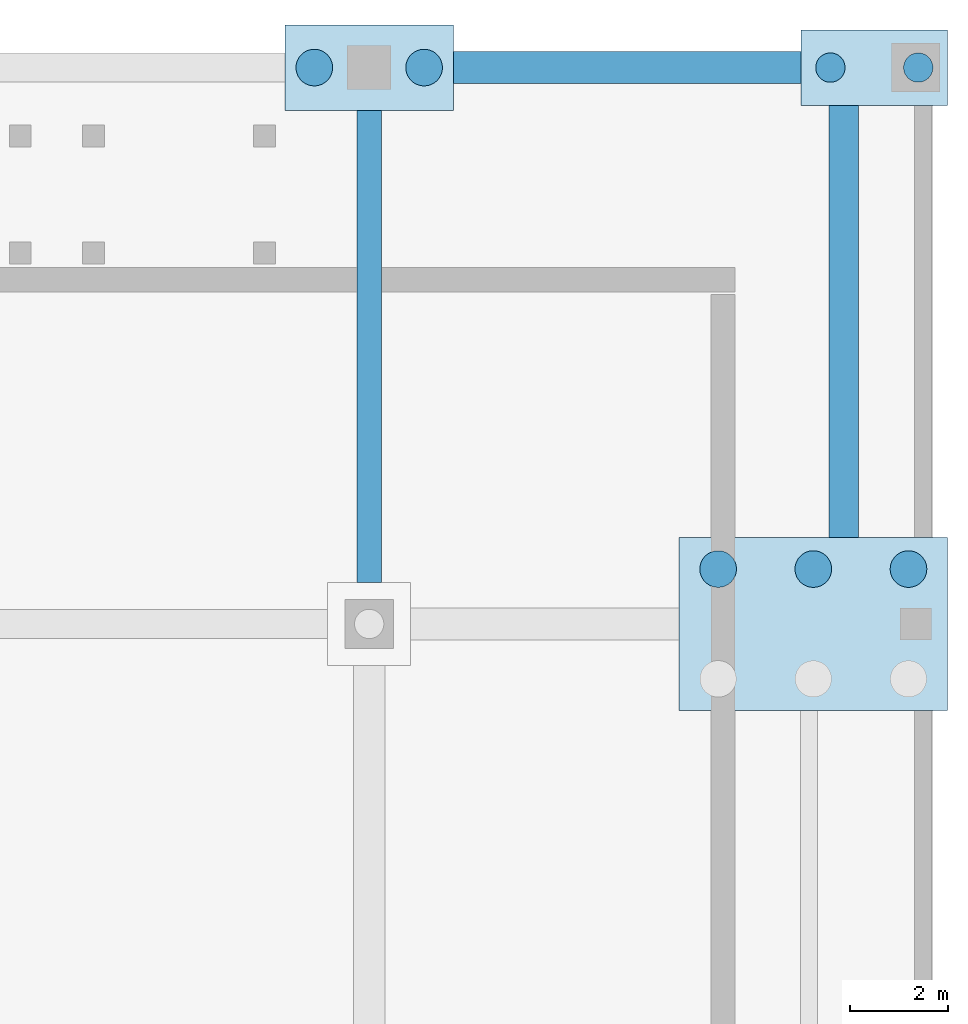
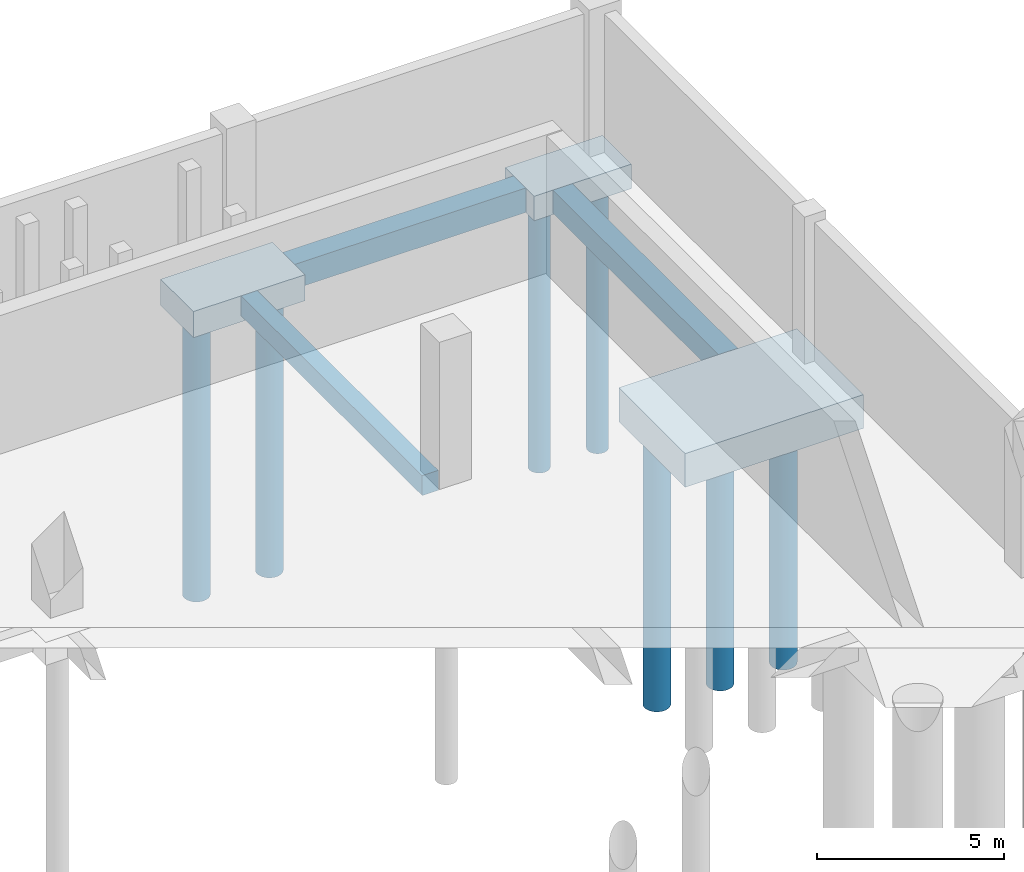
# One storey, part 10 of 34: 7 piles, 6 footings.
"""IFC4 building model written with IfcOpenShell, lengths in metres."""

import ifcopenshell
import ifcopenshell.guid

model = None  # the IFC model being written
_history = None  # IfcOwnerHistory: only IFC2X3 demands one
_inside = {}  # id of a spatial element -> (the spatial element, [elements in it])
_under = {}  # id of a project, library or spatial element -> (it, [spatial elements below it])
_declared = {}  # id of a project -> (the project, [libraries it declares])
_typed = {}  # id of a type object -> (the type object, [elements of that type])
_made_of = {}  # id of a material, layer set ... -> (it, [elements and type objects made of it])


def new_model(schema):
    """Start an empty IFC model of exactly this schema.

    Asked for "IFC4X3", IfcOpenShell would pick the latest addendum, in which some entities
    have other attributes; the version numbers below select the first issue.
    IFC2X3 requires an IfcOwnerHistory on every rooted entity: one is made here for all.
    """
    global model, _history
    if schema == "IFC4X3":
        model = ifcopenshell.file(schema_version=(4, 3, 0, 0))
    else:
        model = ifcopenshell.file(schema=schema)
    _inside.clear()
    _under.clear()
    _declared.clear()
    _typed.clear()
    _made_of.clear()
    _history = None
    if model.schema == "IFC2X3":
        org = make("IfcOrganization", Name="unknown")
        user = make(
            "IfcPersonAndOrganization",
            ThePerson=make("IfcPerson", FamilyName="unknown"),
            TheOrganization=org,
        )
        app = make(
            "IfcApplication",
            ApplicationDeveloper=org,
            Version="unknown",
            ApplicationFullName="unknown",
            ApplicationIdentifier="unknown",
        )
        _history = make(
            "IfcOwnerHistory",
            OwningUser=user,
            OwningApplication=app,
            ChangeAction="ADDED",
            CreationDate=0,
        )
    return model


def make(cls, **values):
    """One entity of the class cls with the attributes given. An attribute that is None is left unset."""
    return model.create_entity(
        cls, **{name: value for name, value in values.items() if value is not None}
    )


def rooted(cls, **values):
    """An entity with a GlobalId (a new one), such as an element, a storey or a relation."""
    return make(cls, GlobalId=ifcopenshell.guid.new(), OwnerHistory=_history, **values)


def si_unit(unit_type, name, prefix=None):
    """IfcSIUnit, for example si_unit("LENGTHUNIT", "METRE", prefix="MILLI")."""
    return make("IfcSIUnit", UnitType=unit_type, Prefix=prefix, Name=name)


def assignment(units):
    """IfcUnitAssignment: the units of a project."""
    return None if units is None else make("IfcUnitAssignment", Units=units)


def point(xyz):
    """IfcCartesianPoint."""
    return None if xyz is None else make("IfcCartesianPoint", Coordinates=xyz)


def direction(xyz):
    """IfcDirection."""
    return None if xyz is None else make("IfcDirection", DirectionRatios=xyz)


def frame(location, z_axis=None, x_axis=None):
    """IfcAxis2Placement3D, a coordinate frame: its origin and axes. An axis left out is left unset."""
    return make(
        "IfcAxis2Placement3D",
        Location=point(location),
        Axis=direction(z_axis),
        RefDirection=direction(x_axis),
    )


def frame_2d(location, x_axis=None):
    """IfcAxis2Placement2D, a coordinate frame in the plane: its origin and x axis."""
    return make(
        "IfcAxis2Placement2D", Location=point(location), RefDirection=direction(x_axis)
    )


def origin():
    """The frame at (0, 0, 0) with its axes left unset."""
    return frame((0.0, 0.0, 0.0))


def origin_2d():
    """The frame at (0, 0) in the plane with its x axis left unset."""
    return frame_2d((0.0, 0.0))


def place(relative_to, where):
    """IfcLocalPlacement: puts the frame where relative to a parent placement (None: the world)."""
    return make(
        "IfcLocalPlacement", PlacementRelTo=relative_to, RelativePlacement=where
    )


def context(
    kind, dimensions, precision=None, world=None, true_north=None, identifier=None
):
    """IfcGeometricRepresentationContext, for example the 3D "Model" context."""
    return make(
        "IfcGeometricRepresentationContext",
        ContextIdentifier=identifier,
        ContextType=kind,
        CoordinateSpaceDimension=dimensions,
        Precision=precision,
        WorldCoordinateSystem=world,
        TrueNorth=true_north,
    )


def subcontext(parent, identifier, kind, view, scale=None):
    """IfcGeometricRepresentationSubContext, for example "Body" below "Model"."""
    return make(
        "IfcGeometricRepresentationSubContext",
        ContextIdentifier=identifier,
        ContextType=kind,
        ParentContext=parent,
        TargetScale=scale,
        TargetView=view,
    )


def project(units=None, contexts=None):
    """IfcProject with its units and contexts."""
    return rooted(
        "IfcProject",
        Name="project",
        RepresentationContexts=contexts,
        UnitsInContext=assignment(units),
    )


def spatial(cls, under=None, at=None, **own):
    """A site, building, storey or space (cls), placed at a placement, below another one or the project."""
    s = rooted(cls, ObjectPlacement=at, **own)
    if under is not None:
        _under.setdefault(under.id(), (under, []))[1].append(s)
    return s


def profile(cls, at=None, kind="AREA", **sizes):
    """A parametric profile (cls). Its sizes go by their IFC names, for example OverallWidth=200.0."""
    return make(cls, ProfileType=kind, Position=at, **sizes)


def rectangle(**sizes):
    """IfcRectangleProfileDef."""
    return profile("IfcRectangleProfileDef", **sizes)


def circle(**sizes):
    """IfcCircleProfileDef."""
    return profile("IfcCircleProfileDef", **sizes)


def extrude(swept, where, along, depth):
    """IfcExtrudedAreaSolid: the profile swept, set in the frame where, extruded along a direction by depth."""
    return make(
        "IfcExtrudedAreaSolid",
        SweptArea=swept,
        Position=where,
        ExtrudedDirection=direction(along),
        Depth=depth,
    )


def shape(context_of_items, identifier, shape_type, items):
    """IfcShapeRepresentation: the items that make up one representation, for example the "Body"."""
    return make(
        "IfcShapeRepresentation",
        ContextOfItems=context_of_items,
        RepresentationIdentifier=identifier,
        RepresentationType=shape_type,
        Items=items,
    )


def material(Name=None, Category=None):
    """IfcMaterial."""
    return make("IfcMaterial", Name=Name, Category=Category)


def material_profile(
    of_material, cross_section, Name=None, Category=None, Priority=None
):
    """IfcMaterialProfile: a cross section and its material."""
    return make(
        "IfcMaterialProfile",
        Name=Name,
        Material=of_material,
        Profile=cross_section,
        Priority=Priority,
        Category=Category,
    )


def profile_set(profiles, Name=None, composite=None):
    """IfcMaterialProfileSet."""
    return make(
        "IfcMaterialProfileSet",
        Name=Name,
        MaterialProfiles=profiles,
        CompositeProfile=composite,
    )


def made_of(thing, what):
    """Note that an element or type object is made of a material, layer set ...; save() writes the relation."""
    if what is not None:
        _made_of.setdefault(what.id(), (what, []))[1].append(thing)
    return thing


def type_object(cls, material=None, **own):
    """A type object (cls), such as IfcWallType, which elements share."""
    return made_of(rooted(cls, **own), material)


def element(
    cls,
    number,
    at=None,
    inside=None,
    cuts=None,
    type_object=None,
    material=None,
    context=None,
    identifier="Body",
    shape_type=None,
    held_by="IfcProductDefinitionShape",
    body=None,
    shapes=None,
    **own,
):
    """One element of the class cls, such as IfcWall. Its Tag is "e" and its number.

    at: its placement. inside: the storey or other place that contains it. cuts: it is an
    opening in that element (IfcRelVoidsElement). A single representation is given by context,
    identifier, shape_type and body (its items); several are given by shapes. held_by: the class
    of the entity that holds the representations. save() writes the other relations.
    """
    e = rooted(cls, Tag="e%d" % number, ObjectPlacement=at, **own)
    if body is not None:
        shapes = [shape(context, identifier, shape_type, body)]
    if shapes is not None:
        e.Representation = make(held_by, Representations=shapes)
    if inside is not None:
        _inside.setdefault(inside.id(), (inside, []))[1].append(e)
    if cuts is not None:
        rooted(
            "IfcRelVoidsElement", RelatingBuildingElement=cuts, RelatedOpeningElement=e
        )
    if type_object is not None:
        _typed.setdefault(type_object.id(), (type_object, []))[1].append(e)
    return made_of(e, material)


def aggregate(whole, parts):
    """IfcRelAggregates: a whole, such as a stair, and the parts it consists of."""
    return rooted("IfcRelAggregates", RelatingObject=whole, RelatedObjects=parts)


def save(model, path):
    """Write the relations noted so far, then the file.

    IfcRelAggregates (storeys below a building ...), IfcRelContainedInSpatialStructure (elements
    in a storey), IfcRelDefinesByType, IfcRelAssociatesMaterial and IfcRelDeclares: one each for
    every whole, place, type object, material and project.
    """
    for whole, parts in _under.values():
        aggregate(whole, parts)
    for where, things in _inside.values():
        rooted(
            "IfcRelContainedInSpatialStructure",
            RelatedElements=things,
            RelatingStructure=where,
        )
    for kind, things in _typed.values():
        rooted("IfcRelDefinesByType", RelatedObjects=things, RelatingType=kind)
    for what, things in _made_of.values():
        rooted("IfcRelAssociatesMaterial", RelatedObjects=things, RelatingMaterial=what)
    for by, libraries in _declared.values():
        rooted("IfcRelDeclares", RelatingContext=by, RelatedDefinitions=libraries)
    model.write(path)


model = new_model("IFC4")

# Units and contexts
model_context = context("Model", 3, precision=1e-05, world=origin(), true_north=direction((0.0, 1.0)))
body_context = subcontext(model_context, "Body", "Model", "MODEL_VIEW")
ifc_project = project(units=[si_unit("LENGTHUNIT", "METRE"), si_unit("AREAUNIT", "SQUARE_METRE"), si_unit("VOLUMEUNIT", "CUBIC_METRE"), si_unit("PLANEANGLEUNIT", "RADIAN"), si_unit("MASSUNIT", "GRAM", prefix="KILO"), si_unit("POWERUNIT", "WATT"), si_unit("THERMODYNAMICTEMPERATUREUNIT", "KELVIN")], contexts=[model_context])

# Site, building, storey
site_placement = place(None, origin())
site = spatial("IfcSite", under=ifc_project, at=site_placement, CompositionType="ELEMENT")
building_placement = place(site_placement, origin())
building = spatial("IfcBuilding", under=site, at=building_placement, Name="Kelmbourne Parkland Aquatics Centre", CompositionType="ELEMENT")
storey_placement = place(building_placement, frame((0.0, 0.0, -4.800048828125)))
storey = spatial("IfcBuildingStorey", under=building, at=storey_placement, Name="B1", CompositionType="ELEMENT", Elevation=-4.800048828125)

# Footings
ifc_material = material(Name="Waterproof concrete C50/60", Category="concrete")
footing_type_1 = type_object("IfcFootingType", Name="FT-FB1", PredefinedType="FOOTING_BEAM", material=ifc_material)
footing_1_placement = place(storey_placement, frame((164.0, 109.08740234375, -1.099853515625), z_axis=(0.0, 0.0, 1.0), x_axis=(0.0, 1.0, 0.0)))
element("IfcFooting", 1, at=footing_1_placement, inside=storey, type_object=footing_type_1, Name="Ground tie beam 13-14 on Grid S", PredefinedType="FOOTING_BEAM", context=body_context, shape_type="SweptSolid", body=[
    extrude(rectangle(XDim=9.675048828125, YDim=0.5, at=origin_2d()), origin(), (0.0, 0.0, 1.0), 0.64990234375),
])
footing_type_2 = type_object("IfcFootingType", Name="FT-FB3", PredefinedType="FOOTING_BEAM", material=ifc_material)
footing_2_placement = place(storey_placement, frame((173.72509765625, 109.60009765625, -1.199951171875), z_axis=(0.0, 0.0, 1.0), x_axis=(0.0, 1.0, 0.0)))
element("IfcFooting", 2, at=footing_2_placement, inside=storey, type_object=footing_type_2, Name="Ground tie beam 13-14 on Grid T", PredefinedType="FOOTING_BEAM", context=body_context, shape_type="SweptSolid", body=[
    extrude(rectangle(XDim=8.85009765625, YDim=0.60009765625, at=origin_2d()), origin(), (0.0, 0.0, 1.0), 0.75),
])
footing_type_3 = type_object("IfcFootingType", Name="FT-FB4", PredefinedType="FOOTING_BEAM", material=ifc_material)
footing_3_placement = place(storey_placement, frame((169.28759765625, 114.800048828125, -1.25), z_axis=(0.0, 0.0, 1.0), x_axis=(1.0, 0.0, 0.0)))
element("IfcFooting", 3, at=footing_3_placement, inside=storey, type_object=footing_type_3, Name="Ground tie beam S-T on Grid 14", PredefinedType="FOOTING_BEAM", context=body_context, shape_type="SweptSolid", body=[
    extrude(rectangle(XDim=7.125, YDim=0.64990234375, at=origin_2d()), origin(), (0.0, 0.0, 1.0), 0.800048828125),
])
footing_type_4 = type_object("IfcFootingType", Name="FT-PC04", PredefinedType="PILE_CAP", material=ifc_material)
footing_4_placement = place(storey_placement, frame((174.35009765625, 114.800048828125, -1.25), z_axis=(0.0, 0.0, 1.0), x_axis=(1.0, 0.0, 0.0)))
element("IfcFooting", 4, at=footing_4_placement, inside=storey, type_object=footing_type_4, Name="Bored pile cap PC-T-14", PredefinedType="PILE_CAP", context=body_context, shape_type="SweptSolid", body=[
    extrude(rectangle(XDim=3.0, YDim=1.550048828125, at=origin_2d()), origin(), (0.0, 0.0, 1.0), 0.800048828125),
])
footing_type_5 = type_object("IfcFootingType", Name="FT-PC06", PredefinedType="PILE_CAP", material=ifc_material)
footing_5_placement = place(storey_placement, frame((164.0, 114.800048828125, -1.300048828125), z_axis=(0.0, 0.0, 1.0), x_axis=(1.0, 0.0, 0.0)))
element("IfcFooting", 5, at=footing_5_placement, inside=storey, type_object=footing_type_5, Name="Bored pile cap PC-S-14", PredefinedType="PILE_CAP", context=body_context, shape_type="SweptSolid", body=[
    extrude(rectangle(XDim=3.449951171875, YDim=1.75, at=origin_2d()), origin(), (0.0, 0.0, 1.0), 0.85009765625),
])
footing_type_6 = type_object("IfcFootingType", Name="FT-PC21", PredefinedType="PILE_CAP", material=ifc_material)
footing_6_placement = place(storey_placement, frame((173.10009765625, 103.39990234375, -1.550048828125), z_axis=(0.0, 0.0, 1.0), x_axis=(1.0, 0.0, 0.0)))
element("IfcFooting", 6, at=footing_6_placement, inside=storey, type_object=footing_type_6, Name="Bored pile cap PC-T-13", PredefinedType="PILE_CAP", context=body_context, shape_type="SweptSolid", body=[
    extrude(rectangle(XDim=5.5, YDim=3.550048828125, at=origin_2d()), origin(), (0.0, 0.0, 1.0), 1.10009765625),
])

# Piles
ifc_material_profile_1 = material_profile(ifc_material, circle(Radius=0.300048828125, at=origin_2d()), Name="PILE D600")
ifc_profile_set_1 = profile_set([ifc_material_profile_1], Name="Waterproof concrete C50/60")
pile_type_1 = type_object("IfcPileType", Name="PL-600", PredefinedType="BORED", material=ifc_profile_set_1)
for number, where, z_axis, x_axis, name in (
    (7, (173.449951171875, 114.800048828125, -1.14990234375), (0.0, 0.0, -1.0), (1.0, 0.0, 0.0), "Rock-socketed bored pile T-14-1"),
    (8, (175.25, 114.800048828125, -1.14990234375), (0.0, 0.0, -1.0), (1.0, 0.0, 0.0), "Rock-socketed bored pile T-14-2"),
):
    element("IfcPile", number, at=place(storey_placement, frame(where, z_axis=z_axis, x_axis=x_axis)), inside=storey, type_object=pile_type_1, Name=name, PredefinedType="BORED", context=body_context, shape_type="SweptSolid", body=[
        extrude(circle(Radius=0.300048828125, at=origin_2d()), origin(), (0.0, 0.0, 1.0), 8.800048828125),
    ])
ifc_material_profile_2 = material_profile(ifc_material, circle(Radius=0.375, at=origin_2d()), Name="PILE D750")
ifc_profile_set_2 = profile_set([ifc_material_profile_2], Name="Waterproof concrete C50/60")
pile_type_2 = type_object("IfcPileType", Name="PL-750", PredefinedType="BORED", material=ifc_profile_set_2)
for number, where, z_axis, x_axis, name in (
    (9, (162.875, 114.800048828125, -1.199951171875), (0.0, 0.0, -1.0), (1.0, 0.0, 0.0), "Rock-socketed bored pile S-14-1"),
    (10, (165.125, 114.800048828125, -1.199951171875), (0.0, 0.0, -1.0), (1.0, 0.0, 0.0), "Rock-socketed bored pile S-14-2"),
    (11, (171.14990234375, 104.52490234375, -1.449951171875), (0.0, 0.0, -1.0), (1.0, 0.0, 0.0), "Rock-socketed bored pile T-13-4"),
    (12, (173.10009765625, 104.52490234375, -1.449951171875), (0.0, 0.0, -1.0), (1.0, 0.0, 0.0), "Rock-socketed bored pile T-13-5"),
    (13, (175.050048828125, 104.52490234375, -1.449951171875), (0.0, 0.0, -1.0), (1.0, 0.0, 0.0), "Rock-socketed bored pile T-13-6"),
):
    element("IfcPile", number, at=place(storey_placement, frame(where, z_axis=z_axis, x_axis=x_axis)), inside=storey, type_object=pile_type_2, Name=name, PredefinedType="BORED", context=body_context, shape_type="SweptSolid", body=[
        extrude(circle(Radius=0.375, at=origin_2d()), origin(), (0.0, 0.0, 1.0), 9.199951171875),
    ])

save(model, "model.ifc")
